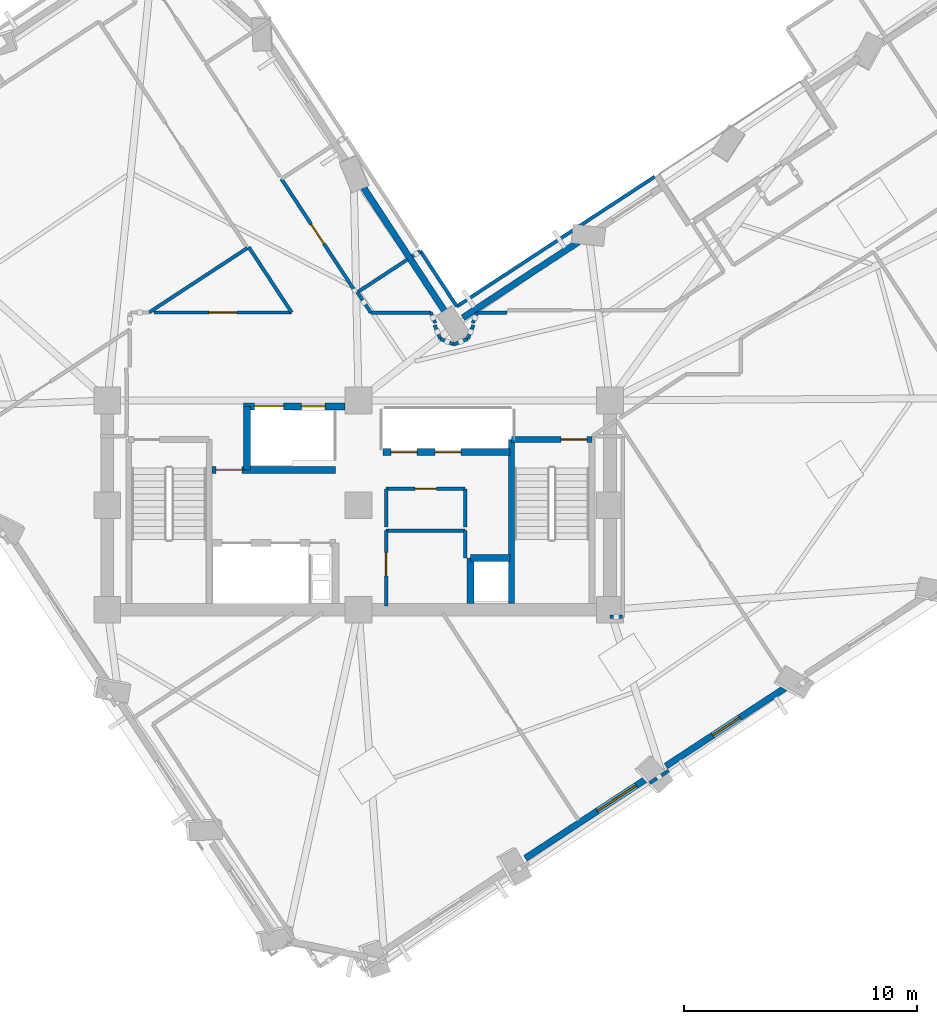
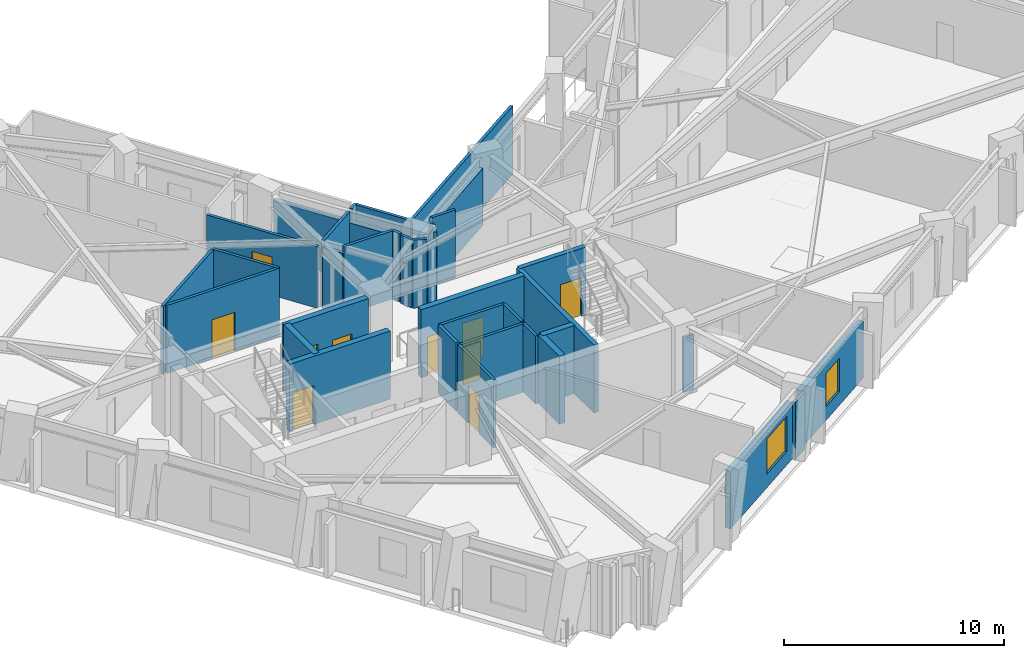
# One storey, part 6 of 14: 37 walls, 10 doors, 2 windows, 12 openings.
"""IFC4 building model written with IfcOpenShell, lengths in metres."""

import ifcopenshell
import ifcopenshell.guid

model = None  # the IFC model being written
_history = None  # IfcOwnerHistory: only IFC2X3 demands one
_inside = {}  # id of a spatial element -> (the spatial element, [elements in it])
_under = {}  # id of a project, library or spatial element -> (it, [spatial elements below it])
_declared = {}  # id of a project -> (the project, [libraries it declares])
_typed = {}  # id of a type object -> (the type object, [elements of that type])
_made_of = {}  # id of a material, layer set ... -> (it, [elements and type objects made of it])


def new_model(schema):
    """Start an empty IFC model of exactly this schema.

    Asked for "IFC4X3", IfcOpenShell would pick the latest addendum, in which some entities
    have other attributes; the version numbers below select the first issue.
    IFC2X3 requires an IfcOwnerHistory on every rooted entity: one is made here for all.
    """
    global model, _history
    if schema == "IFC4X3":
        model = ifcopenshell.file(schema_version=(4, 3, 0, 0))
    else:
        model = ifcopenshell.file(schema=schema)
    _inside.clear()
    _under.clear()
    _declared.clear()
    _typed.clear()
    _made_of.clear()
    _history = None
    if model.schema == "IFC2X3":
        org = make("IfcOrganization", Name="unknown")
        user = make(
            "IfcPersonAndOrganization",
            ThePerson=make("IfcPerson", FamilyName="unknown"),
            TheOrganization=org,
        )
        app = make(
            "IfcApplication",
            ApplicationDeveloper=org,
            Version="unknown",
            ApplicationFullName="unknown",
            ApplicationIdentifier="unknown",
        )
        _history = make(
            "IfcOwnerHistory",
            OwningUser=user,
            OwningApplication=app,
            ChangeAction="ADDED",
            CreationDate=0,
        )
    return model


def make(cls, **values):
    """One entity of the class cls with the attributes given. An attribute that is None is left unset."""
    return model.create_entity(
        cls, **{name: value for name, value in values.items() if value is not None}
    )


def rooted(cls, **values):
    """An entity with a GlobalId (a new one), such as an element, a storey or a relation."""
    return make(cls, GlobalId=ifcopenshell.guid.new(), OwnerHistory=_history, **values)


def si_unit(unit_type, name, prefix=None):
    """IfcSIUnit, for example si_unit("LENGTHUNIT", "METRE", prefix="MILLI")."""
    return make("IfcSIUnit", UnitType=unit_type, Prefix=prefix, Name=name)


def assignment(units):
    """IfcUnitAssignment: the units of a project."""
    return None if units is None else make("IfcUnitAssignment", Units=units)


def point(xyz):
    """IfcCartesianPoint."""
    return None if xyz is None else make("IfcCartesianPoint", Coordinates=xyz)


def direction(xyz):
    """IfcDirection."""
    return None if xyz is None else make("IfcDirection", DirectionRatios=xyz)


def frame(location, z_axis=None, x_axis=None):
    """IfcAxis2Placement3D, a coordinate frame: its origin and axes. An axis left out is left unset."""
    return make(
        "IfcAxis2Placement3D",
        Location=point(location),
        Axis=direction(z_axis),
        RefDirection=direction(x_axis),
    )


def frame_2d(location, x_axis=None):
    """IfcAxis2Placement2D, a coordinate frame in the plane: its origin and x axis."""
    return make(
        "IfcAxis2Placement2D", Location=point(location), RefDirection=direction(x_axis)
    )


def origin():
    """The frame at (0, 0, 0) with its axes left unset."""
    return frame((0.0, 0.0, 0.0))


def place(relative_to, where):
    """IfcLocalPlacement: puts the frame where relative to a parent placement (None: the world)."""
    return make(
        "IfcLocalPlacement", PlacementRelTo=relative_to, RelativePlacement=where
    )


def context(
    kind, dimensions, precision=None, world=None, true_north=None, identifier=None
):
    """IfcGeometricRepresentationContext, for example the 3D "Model" context."""
    return make(
        "IfcGeometricRepresentationContext",
        ContextIdentifier=identifier,
        ContextType=kind,
        CoordinateSpaceDimension=dimensions,
        Precision=precision,
        WorldCoordinateSystem=world,
        TrueNorth=true_north,
    )


def subcontext(parent, identifier, kind, view, scale=None):
    """IfcGeometricRepresentationSubContext, for example "Body" below "Model"."""
    return make(
        "IfcGeometricRepresentationSubContext",
        ContextIdentifier=identifier,
        ContextType=kind,
        ParentContext=parent,
        TargetScale=scale,
        TargetView=view,
    )


def project(units=None, contexts=None):
    """IfcProject with its units and contexts."""
    return rooted(
        "IfcProject",
        Name="project",
        RepresentationContexts=contexts,
        UnitsInContext=assignment(units),
    )


def spatial(cls, under=None, at=None, **own):
    """A site, building, storey or space (cls), placed at a placement, below another one or the project."""
    s = rooted(cls, ObjectPlacement=at, **own)
    if under is not None:
        _under.setdefault(under.id(), (under, []))[1].append(s)
    return s


def profile(cls, at=None, kind="AREA", **sizes):
    """A parametric profile (cls). Its sizes go by their IFC names, for example OverallWidth=200.0."""
    return make(cls, ProfileType=kind, Position=at, **sizes)


def rectangle(**sizes):
    """IfcRectangleProfileDef."""
    return profile("IfcRectangleProfileDef", **sizes)


def extrude(swept, where, along, depth):
    """IfcExtrudedAreaSolid: the profile swept, set in the frame where, extruded along a direction by depth."""
    return make(
        "IfcExtrudedAreaSolid",
        SweptArea=swept,
        Position=where,
        ExtrudedDirection=direction(along),
        Depth=depth,
    )


def shape(context_of_items, identifier, shape_type, items):
    """IfcShapeRepresentation: the items that make up one representation, for example the "Body"."""
    return make(
        "IfcShapeRepresentation",
        ContextOfItems=context_of_items,
        RepresentationIdentifier=identifier,
        RepresentationType=shape_type,
        Items=items,
    )


def material(Name=None, Category=None):
    """IfcMaterial."""
    return make("IfcMaterial", Name=Name, Category=Category)


def layer(
    of_material, thickness, ventilated=None, Name=None, Category=None, Priority=None
):
    """IfcMaterialLayer: one layer of a wall or slab, of a material (None: an air gap)."""
    return make(
        "IfcMaterialLayer",
        Material=of_material,
        LayerThickness=thickness,
        IsVentilated=ventilated,
        Name=Name,
        Category=Category,
        Priority=Priority,
    )


def layer_set(layers, Name=None):
    """IfcMaterialLayerSet."""
    return make("IfcMaterialLayerSet", MaterialLayers=layers, LayerSetName=Name)


def made_of(thing, what):
    """Note that an element or type object is made of a material, layer set ...; save() writes the relation."""
    if what is not None:
        _made_of.setdefault(what.id(), (what, []))[1].append(thing)
    return thing


def type_object(cls, material=None, **own):
    """A type object (cls), such as IfcWallType, which elements share."""
    return made_of(rooted(cls, **own), material)


def element(
    cls,
    number,
    at=None,
    inside=None,
    cuts=None,
    type_object=None,
    material=None,
    context=None,
    identifier="Body",
    shape_type=None,
    held_by="IfcProductDefinitionShape",
    body=None,
    shapes=None,
    **own,
):
    """One element of the class cls, such as IfcWall. Its Tag is "e" and its number.

    at: its placement. inside: the storey or other place that contains it. cuts: it is an
    opening in that element (IfcRelVoidsElement). A single representation is given by context,
    identifier, shape_type and body (its items); several are given by shapes. held_by: the class
    of the entity that holds the representations. save() writes the other relations.
    """
    e = rooted(cls, Tag="e%d" % number, ObjectPlacement=at, **own)
    if body is not None:
        shapes = [shape(context, identifier, shape_type, body)]
    if shapes is not None:
        e.Representation = make(held_by, Representations=shapes)
    if inside is not None:
        _inside.setdefault(inside.id(), (inside, []))[1].append(e)
    if cuts is not None:
        rooted(
            "IfcRelVoidsElement", RelatingBuildingElement=cuts, RelatedOpeningElement=e
        )
    if type_object is not None:
        _typed.setdefault(type_object.id(), (type_object, []))[1].append(e)
    return made_of(e, material)


def fill(opening, filler):
    """IfcRelFillsElement: the door or window that sits in an opening."""
    return rooted(
        "IfcRelFillsElement",
        RelatingOpeningElement=opening,
        RelatedBuildingElement=filler,
    )


def aggregate(whole, parts):
    """IfcRelAggregates: a whole, such as a stair, and the parts it consists of."""
    return rooted("IfcRelAggregates", RelatingObject=whole, RelatedObjects=parts)


def save(model, path):
    """Write the relations noted so far, then the file.

    IfcRelAggregates (storeys below a building ...), IfcRelContainedInSpatialStructure (elements
    in a storey), IfcRelDefinesByType, IfcRelAssociatesMaterial and IfcRelDeclares: one each for
    every whole, place, type object, material and project.
    """
    for whole, parts in _under.values():
        aggregate(whole, parts)
    for where, things in _inside.values():
        rooted(
            "IfcRelContainedInSpatialStructure",
            RelatedElements=things,
            RelatingStructure=where,
        )
    for kind, things in _typed.values():
        rooted("IfcRelDefinesByType", RelatedObjects=things, RelatingType=kind)
    for what, things in _made_of.values():
        rooted("IfcRelAssociatesMaterial", RelatedObjects=things, RelatingMaterial=what)
    for by, libraries in _declared.values():
        rooted("IfcRelDeclares", RelatingContext=by, RelatedDefinitions=libraries)
    model.write(path)


model = new_model("IFC4")

# Units and contexts
model_context = context("Model", 3, precision=1e-05, world=origin(), true_north=direction((0.0, 1.0)))
body_context = subcontext(model_context, "Body", "Model", "MODEL_VIEW")
ifc_project = project(units=[si_unit("LENGTHUNIT", "METRE"), si_unit("AREAUNIT", "SQUARE_METRE"), si_unit("VOLUMEUNIT", "CUBIC_METRE"), si_unit("PLANEANGLEUNIT", "RADIAN"), si_unit("MASSUNIT", "GRAM", prefix="KILO")], contexts=[model_context])

# Site, building, storey
site_placement = place(None, origin())
site = spatial("IfcSite", under=ifc_project, at=site_placement, CompositionType="ELEMENT")
building_placement = place(site_placement, origin())
building = spatial("IfcBuilding", under=site, at=building_placement, Name="Gaonmaruhae Medical Tower", CompositionType="ELEMENT")
storey_placement = place(building_placement, frame((0.0, 0.0, 165.800048828125)))
storey = spatial("IfcBuildingStorey", under=building, at=storey_placement, Name="L39", CompositionType="ELEMENT", Elevation=165.800048828125)

# Wall, opening, window
ifc_material_1 = material(Name="Precast concrete C45/55", Category="concrete")
ifc_layer_1 = layer(ifc_material_1, 0.280029296875)
ifc_layer_set_1 = layer_set([ifc_layer_1], Name="Precast concrete C45/55")
wall_type_1 = type_object("IfcWallType", Name="EW-280 Upper Precast Masonry-Frame Facade Wall", PredefinedType="SOLIDWALL", material=ifc_layer_set_1)
wall_1_placement = place(storey_placement, frame((37.18212890625, 0.542724609375, 0.0), z_axis=(0.0, 0.0, 1.0), x_axis=(-0.836285285132, -0.54829455758, 0.0)))
wall_1 = element("IfcWall", 1, at=wall_1_placement, inside=storey, type_object=wall_type_1, Name="L39 Precast Masonry-Frame Wall S02-S03", PredefinedType="SOLIDWALL", context=body_context, shape_type="SweptSolid", body=[
    extrude(rectangle(XDim=6.234375, YDim=0.280029296875, at=frame_2d((3.1171875, 0.0))), origin(), (0.0, 0.0, 1.0), 3.1650390625),
])
opening_1_placement = place(wall_1_placement, frame((0.531982421875, 0.0, 0.75)))
opening_1 = element("IfcOpeningElement", 2, at=opening_1_placement, cuts=wall_1, Name="Opening WN-02", PredefinedType="OPENING", context=body_context, shape_type="SweptSolid", body=[
    extrude(rectangle(XDim=2.0, YDim=1.949951171875, at=frame_2d((1.0, 0.97509765625))), frame((0.0, 0.14990234375, 0.0), z_axis=(0.0, -1.0, 0.0), x_axis=(1.0, 0.0, 0.0)), (0.0, 0.0, 1.0), 0.300048828125),
])
ifc_material_2 = material(Name="Anodised aluminium and Low-E double glazing", Category="aluminium")
window_type_1 = type_object("IfcWindowType", Name="WN-02 Double-Bed Ward Punched Window 2000x1950", PartitioningType="SINGLE_PANEL", PredefinedType="WINDOW", material=ifc_material_2)
window_1_placement = place(opening_1_placement, origin())
window_1 = element("IfcWindow", 3, at=window_1_placement, inside=storey, type_object=window_type_1, Name="L39 Modular Facade Window S02", OverallHeight=1.949951171875, OverallWidth=2.0, PartitioningType="SINGLE_PANEL", PredefinedType="WINDOW", context=body_context, shape_type="SweptSolid", body=[
    extrude(rectangle(XDim=2.0, YDim=1.949951171875, at=frame_2d((1.0, 0.97509765625))), frame((0.0, 0.030029296875, 0.0), z_axis=(0.0, -1.0, 0.0), x_axis=(1.0, 0.0, 0.0)), (0.0, 0.0, 1.0), 0.06005859375),
])
fill(opening_1, window_1)

wall_2_placement = place(storey_placement, frame((43.19775390625, 4.48681640625, 0.0), z_axis=(0.0, 0.0, 1.0), x_axis=(-0.836280987902, -0.548301111865, 0.0)))
wall_2 = element("IfcWall", 4, at=wall_2_placement, inside=storey, type_object=wall_type_1, Name="L39 Precast Masonry-Frame Wall S03-S04", PredefinedType="SOLIDWALL", context=body_context, shape_type="SweptSolid", body=[
    extrude(rectangle(XDim=6.214111328125, YDim=0.280029296875, at=frame_2d((3.10693359375, 0.0))), origin(), (0.0, 0.0, 1.0), 3.1650390625),
])
opening_2_placement = place(wall_2_placement, frame((2.405517578125, 0.0, 0.75)))
opening_2 = element("IfcOpeningElement", 5, at=opening_2_placement, cuts=wall_2, Name="Opening WN-03", PredefinedType="OPENING", context=body_context, shape_type="SweptSolid", body=[
    extrude(rectangle(XDim=1.39990234375, YDim=1.85009765625, at=frame_2d((0.699951171875, 0.925048828125))), frame((0.0, 0.14990234375, 0.0), z_axis=(0.0, -1.0, 0.0), x_axis=(1.0, 0.0, 0.0)), (0.0, 0.0, 1.0), 0.300048828125),
])
window_type_2 = type_object("IfcWindowType", Name="WN-03 Isolation Ward Punched Window 1400x1850", PartitioningType="SINGLE_PANEL", PredefinedType="WINDOW", material=ifc_material_2)
window_2_placement = place(opening_2_placement, origin())
window_2 = element("IfcWindow", 6, at=window_2_placement, inside=storey, type_object=window_type_2, Name="L39 Modular Facade Window S03", OverallHeight=1.85009765625, OverallWidth=1.39990234375, PartitioningType="SINGLE_PANEL", PredefinedType="WINDOW", context=body_context, shape_type="SweptSolid", body=[
    extrude(rectangle(XDim=1.39990234375, YDim=1.85009765625, at=frame_2d((0.699951171875, 0.925048828125))), frame((0.0, 0.030029296875, 0.0), z_axis=(0.0, -1.0, 0.0), x_axis=(1.0, 0.0, 0.0)), (0.0, 0.0, 1.0), 0.06005859375),
])
fill(opening_2, window_2)

# Walls
wall_3_placement = place(storey_placement, frame((29.284912109375, 20.3564453125, 0.0), z_axis=(0.0, 0.0, 1.0), x_axis=(0.836260995497, 0.548331603513, 0.0)))
element("IfcWall", 7, at=wall_3_placement, inside=storey, type_object=wall_type_1, Name="L39 Precast Masonry-Frame Wall EN03-KN01", PredefinedType="SOLIDWALL", context=body_context, shape_type="SweptSolid", body=[
    extrude(rectangle(XDim=5.9599609375, YDim=0.280029296875, at=frame_2d((2.97998046875, 0.0))), origin(), (0.0, 0.0, 1.0), 3.1650390625),
])
wall_4_placement = place(storey_placement, frame((28.6201171875, 20.44921875, 0.0), z_axis=(0.0, 0.0, 1.0), x_axis=(-0.548274567117, 0.836298391158, 0.0)))
element("IfcWall", 8, at=wall_4_placement, inside=storey, type_object=wall_type_1, Name="L39 Precast Masonry-Frame Wall KN01-NE01", PredefinedType="SOLIDWALL", context=body_context, shape_type="SweptSolid", body=[
    extrude(rectangle(XDim=6.760009765625, YDim=0.280029296875, at=frame_2d((3.3798828125, 0.0))), origin(), (0.0, 0.0, 1.0), 3.1650390625),
])

# Wall, opening, door
ifc_material_3 = material(Name="Gypsum board partition", Category="gypsum")
ifc_layer_2 = layer(ifc_material_3, 0.14990234375)
ifc_layer_set_2 = layer_set([ifc_layer_2], Name="Gypsum board partition")
wall_type_2 = type_object("IfcWallType", Name="PW-150 Rated Clinical Corridor Partition", PredefinedType="PARTITIONING", material=ifc_layer_set_2)
wall_5_placement = place(storey_placement, frame((25.97998046875, 7.9599609375, 0.0), z_axis=(0.0, 0.0, 1.0), x_axis=(0.0, 1.0, 0.0)))
wall_5 = element("IfcWall", 9, at=wall_5_placement, inside=storey, type_object=wall_type_2, Name="L39 Interior Partition L39-RCL1-1", PredefinedType="PARTITIONING", context=body_context, shape_type="SweptSolid", body=[
    extrude(rectangle(XDim=3.239990234375, YDim=0.14990234375, at=frame_2d((1.6201171875, 0.0))), origin(), (0.0, 0.0, 1.0), 3.780029296875),
])
opening_3_placement = place(wall_5_placement, frame((1.294921875, 0.0, 0.0)))
opening_3 = element("IfcOpeningElement", 10, at=opening_3_placement, cuts=wall_5, Name="Opening CD-01", PredefinedType="OPENING", context=body_context, shape_type="SweptSolid", body=[
    extrude(rectangle(XDim=1.0, YDim=2.1201171875, at=frame_2d((0.5, 1.06005859375))), frame((0.0, 0.0849609375, 0.0), z_axis=(0.0, -1.0, 0.0), x_axis=(1.0, 0.0, 0.0)), (0.0, 0.0, 1.0), 0.169921875),
])
ifc_material_4 = material(Name="Antimicrobial laminate timber fire door", Category="wood")
door_type_1 = type_object("IfcDoorType", Name="CD-01 Consultation & Physician Office Door 1000x2120", OperationType="NOTDEFINED", PredefinedType="DOOR", material=ifc_material_4)
door_1_placement = place(opening_3_placement, origin())
door_1 = element("IfcDoor", 11, at=door_1_placement, inside=storey, type_object=door_type_1, Name="L39 Clinical Telemetry and Medication Room Door", OperationType="SINGLE_SWING_RIGHT", OverallHeight=2.1201171875, OverallWidth=1.0, PredefinedType="DOOR", context=body_context, shape_type="SweptSolid", body=[
    extrude(rectangle(XDim=1.0, YDim=2.1201171875, at=frame_2d((0.5, 1.06005859375))), frame((0.0, 0.02490234375, 0.0), z_axis=(0.0, -1.0, 0.0), x_axis=(1.0, 0.0, 0.0)), (0.0, 0.0, 1.0), 0.050048828125),
])
fill(opening_3, door_1)

# Walls
wall_6_placement = place(storey_placement, frame((25.97998046875, 11.199951171875, 0.0), z_axis=(0.0, 0.0, 1.0), x_axis=(1.0, 0.0, 0.0)))
element("IfcWall", 12, at=wall_6_placement, inside=storey, type_object=wall_type_2, Name="L39 Interior Partition L39-RCL1-2", PredefinedType="PARTITIONING", context=body_context, shape_type="SweptSolid", body=[
    extrude(rectangle(XDim=3.39990234375, YDim=0.14990234375, at=frame_2d((1.699951171875, 0.0))), origin(), (0.0, 0.0, 1.0), 3.780029296875),
])
wall_7_placement = place(storey_placement, frame((29.3798828125, 11.199951171875, 0.0), z_axis=(0.0, 0.0, 1.0), x_axis=(0.0, -1.0, 0.0)))
element("IfcWall", 13, at=wall_7_placement, inside=storey, type_object=wall_type_2, Name="L39 Interior Partition L39-RCL1-3", PredefinedType="PARTITIONING", context=body_context, shape_type="SweptSolid", body=[
    extrude(rectangle(XDim=1.179931640625, YDim=0.14990234375, at=frame_2d((0.58984375, 0.0))), origin(), (0.0, 0.0, 1.0), 3.780029296875),
])
wall_8_placement = place(storey_placement, frame((25.97998046875, 11.360107421875, 0.0), z_axis=(0.0, 0.0, 1.0), x_axis=(0.0, 1.0, 0.0)))
element("IfcWall", 14, at=wall_8_placement, inside=storey, type_object=wall_type_2, Name="L39 Interior Partition L39-CS1-4", PredefinedType="PARTITIONING", context=body_context, shape_type="SweptSolid", body=[
    extrude(rectangle(XDim=1.639892578125, YDim=0.14990234375, at=frame_2d((0.81982421875, 0.0))), origin(), (0.0, 0.0, 1.0), 3.780029296875),
])

# Wall, opening, door
wall_9_placement = place(storey_placement, frame((25.97998046875, 13.0, 0.0), z_axis=(0.0, 0.0, 1.0), x_axis=(1.0, 0.0, 0.0)))
wall_9 = element("IfcWall", 15, at=wall_9_placement, inside=storey, type_object=wall_type_2, Name="L39 Interior Partition L39-CS1-5", PredefinedType="PARTITIONING", context=body_context, shape_type="SweptSolid", body=[
    extrude(rectangle(XDim=3.39990234375, YDim=0.14990234375, at=frame_2d((1.699951171875, 0.0))), origin(), (0.0, 0.0, 1.0), 3.780029296875),
])
opening_4_placement = place(wall_9_placement, frame((1.239990234375, 0.0, 0.0)))
opening_4 = element("IfcOpeningElement", 16, at=opening_4_placement, cuts=wall_9, Name="Opening UD-01", PredefinedType="OPENING", context=body_context, shape_type="SweptSolid", body=[
    extrude(rectangle(XDim=0.919921875, YDim=2.10009765625, at=frame_2d((0.4599609375, 1.050048828125))), frame((0.0, 0.0849609375, 0.0), z_axis=(0.0, -1.0, 0.0), x_axis=(1.0, 0.0, 0.0)), (0.0, 0.0, 1.0), 0.169921875),
])
ifc_material_5 = material(Name="Powder-coated steel utility door", Category="steel")
door_type_2 = type_object("IfcDoorType", Name="UD-01 Toilet, Utility & Housekeeping Door 920x2100", OperationType="NOTDEFINED", PredefinedType="DOOR", material=ifc_material_5)
door_2_placement = place(opening_4_placement, origin())
door_2 = element("IfcDoor", 17, at=door_2_placement, inside=storey, type_object=door_type_2, Name="L39 Accessible Staff Toilet Door", OperationType="SINGLE_SWING_RIGHT", OverallHeight=2.10009765625, OverallWidth=0.919921875, PredefinedType="DOOR", context=body_context, shape_type="SweptSolid", body=[
    extrude(rectangle(XDim=0.919921875, YDim=2.10009765625, at=frame_2d((0.4599609375, 1.050048828125))), frame((0.0, 0.02490234375, 0.0), z_axis=(0.0, -1.0, 0.0), x_axis=(1.0, 0.0, 0.0)), (0.0, 0.0, 1.0), 0.050048828125),
])
fill(opening_4, door_2)

# Walls
wall_10_placement = place(storey_placement, frame((29.3798828125, 13.0, 0.0), z_axis=(0.0, 0.0, 1.0), x_axis=(0.0, -1.0, 0.0)))
element("IfcWall", 18, at=wall_10_placement, inside=storey, type_object=wall_type_2, Name="L39 Interior Partition L39-CS1-6", PredefinedType="PARTITIONING", context=body_context, shape_type="SweptSolid", body=[
    extrude(rectangle(XDim=1.639892578125, YDim=0.14990234375, at=frame_2d((0.81982421875, 0.0))), origin(), (0.0, 0.0, 1.0), 3.780029296875),
])
wall_11_placement = place(storey_placement, frame((38.126953125, 0.886962890625, 0.0), z_axis=(0.0, 0.0, 1.0), x_axis=(-0.836283727182, -0.548296933832, 0.0)))
element("IfcWall", 19, at=wall_11_placement, inside=storey, type_object=wall_type_2, Name="L39 Interior Partition L39-SUP02-18", PredefinedType="PARTITIONING", context=body_context, shape_type="SweptSolid", body=[
    extrude(rectangle(XDim=0.979248046875, YDim=0.14990234375, at=frame_2d((0.48974609375, 0.0))), origin(), (0.0, 0.0, 1.0), 3.1650390625),
])
wall_12_placement = place(storey_placement, frame((35.60009765625, 7.5, 0.0), z_axis=(0.0, 0.0, 1.0), x_axis=(1.0, 0.0, 0.0)))
element("IfcWall", 20, at=wall_12_placement, inside=storey, type_object=wall_type_2, Name="L39 Interior Partition L39-SUP02-19", PredefinedType="PARTITIONING", context=body_context, shape_type="SweptSolid", body=[
    extrude(rectangle(XDim=0.5498046875, YDim=0.14990234375, at=frame_2d((0.27490234375, 0.0))), origin(), (0.0, 0.0, 1.0), 3.06494140625),
])
wall_13_placement = place(storey_placement, frame((20.02099609375, 23.35205078125, 0.0), z_axis=(0.0, 0.0, 1.0), x_axis=(-0.836348158254, -0.548198648471, 0.0)))
element("IfcWall", 21, at=wall_13_placement, inside=storey, type_object=wall_type_2, Name="L39 Interior Partition L39-WOF06-51", PredefinedType="PARTITIONING", context=body_context, shape_type="SweptSolid", body=[
    extrude(rectangle(XDim=5.056396484375, YDim=0.14990234375, at=frame_2d((2.5283203125, 0.0))), origin(), (0.0, 0.0, 1.0), 3.780029296875),
])
wall_14_placement = place(storey_placement, frame((31.169921875, 20.580078125, 0.0), z_axis=(0.0, 0.0, 1.0), x_axis=(-0.999991876787, -0.00403067743, 0.0)))
element("IfcWall", 22, at=wall_14_placement, inside=storey, type_object=wall_type_2, Name="L39 Interior Partition L39-IE01-53", PredefinedType="PARTITIONING", context=body_context, shape_type="SweptSolid", body=[
    extrude(rectangle(XDim=1.27197265625, YDim=0.14990234375, at=frame_2d((0.635986328125, 0.0))), origin(), (0.0, 0.0, 1.0), 3.780029296875),
])
wall_15_placement = place(storey_placement, frame((29.89794921875, 20.574951171875, 0.0), z_axis=(0.0, 0.0, 1.0), x_axis=(-0.392767255378, -0.919637908692, 0.0)))
element("IfcWall", 23, at=wall_15_placement, inside=storey, type_object=wall_type_2, Name="L39 Interior Partition L39-IE01-54", PredefinedType="PARTITIONING", context=body_context, shape_type="SweptSolid", body=[
    extrude(rectangle(XDim=0.486083984375, YDim=0.14990234375, at=frame_2d((0.2431640625, 0.0))), origin(), (0.0, 0.0, 1.0), 3.780029296875),
])
wall_16_placement = place(storey_placement, frame((29.736083984375, 20.041015625, 0.0), z_axis=(0.0, 0.0, 1.0), x_axis=(-0.382306769343, -0.924035461503, 0.0)))
element("IfcWall", 24, at=wall_16_placement, inside=storey, type_object=wall_type_2, Name="L39 Interior Partition L39-IE01-55", PredefinedType="PARTITIONING", context=body_context, shape_type="SweptSolid", body=[
    extrude(rectangle(XDim=0.638671875, YDim=0.14990234375, at=frame_2d((0.3193359375, 0.0))), origin(), (0.0, 0.0, 1.0), 3.780029296875),
])
wall_17_placement = place(storey_placement, frame((29.491943359375, 19.450927734375, 0.0), z_axis=(0.0, 0.0, 1.0), x_axis=(-0.924114659462, -0.382115291723, 0.0)))
element("IfcWall", 25, at=wall_17_placement, inside=storey, type_object=wall_type_2, Name="L39 Interior Partition L39-IE01-56", PredefinedType="PARTITIONING", context=body_context, shape_type="SweptSolid", body=[
    extrude(rectangle(XDim=0.63818359375, YDim=0.14990234375, at=frame_2d((0.319091796875, 0.0))), origin(), (0.0, 0.0, 1.0), 3.4150390625),
])
for number, where, z_axis, x_axis, name in (
    (26, (28.902099609375, 19.20703125, 0.0), (0.0, 0.0, 1.0), (-0.924170479167, 0.381980268386, 0.0), "L39 Interior Partition L39-IE01-57"),
    (27, (28.31201171875, 19.450927734375, 0.0), (0.0, 0.0, 1.0), (-0.381980268386, 0.924170479167, 0.0), "L39 Interior Partition L39-IE01-58"),
):
    element("IfcWall", number, at=place(storey_placement, frame(where, z_axis=z_axis, x_axis=x_axis)), inside=storey, type_object=wall_type_2, Name=name, PredefinedType="PARTITIONING", context=body_context, shape_type="SweptSolid", body=[
        extrude(rectangle(XDim=0.638427734375, YDim=0.14990234375, at=frame_2d((0.3193359375, 0.0))), origin(), (0.0, 0.0, 1.0), 3.780029296875),
    ])
wall_18_placement = place(storey_placement, frame((28.095947265625, 20.131103515625, 0.0), z_axis=(0.0, 0.0, 1.0), x_axis=(-0.396107773703, 0.918204025047, 0.0)))
element("IfcWall", 28, at=wall_18_placement, inside=storey, type_object=wall_type_2, Name="L39 Interior Partition L39-IE01-59", PredefinedType="PARTITIONING", context=body_context, shape_type="SweptSolid", body=[
    extrude(rectangle(XDim=0.484375, YDim=0.14990234375, at=frame_2d((0.2421875, 0.0))), origin(), (0.0, 0.0, 1.0), 3.780029296875),
])
wall_19_placement = place(storey_placement, frame((27.904052734375, 20.575927734375, 0.0), z_axis=(0.0, 0.0, 1.0), x_axis=(-0.999998712014, 0.001604982827, 0.0)))
element("IfcWall", 29, at=wall_19_placement, inside=storey, type_object=wall_type_2, Name="L39 Interior Partition L39-IE01-60", PredefinedType="PARTITIONING", context=body_context, shape_type="SweptSolid", body=[
    extrude(rectangle(XDim=2.5859375, YDim=0.14990234375, at=frame_2d((1.29296875, 0.0))), origin(), (0.0, 0.0, 1.0), 3.780029296875),
])
wall_20_placement = place(storey_placement, frame((25.318115234375, 20.580078125, 0.0), z_axis=(0.0, 0.0, 1.0), x_axis=(-0.548332691365, 0.836260282197, 0.0)))
element("IfcWall", 30, at=wall_20_placement, inside=storey, type_object=wall_type_2, Name="L39 Interior Partition L39-IE01-61", PredefinedType="PARTITIONING", context=body_context, shape_type="SweptSolid", body=[
    extrude(rectangle(XDim=1.037841796875, YDim=0.14990234375, at=frame_2d((0.51904296875, 0.0))), origin(), (0.0, 0.0, 1.0), 3.4150390625),
])
wall_21_placement = place(storey_placement, frame((24.7490234375, 21.447998046875, 0.0), z_axis=(0.0, 0.0, 1.0), x_axis=(0.836198746425, 0.548426527874, 0.0)))
element("IfcWall", 31, at=wall_21_placement, inside=storey, type_object=wall_type_2, Name="L39 Interior Partition L39-IE01-62", PredefinedType="PARTITIONING", context=body_context, shape_type="SweptSolid", body=[
    extrude(rectangle(XDim=2.574951171875, YDim=0.14990234375, at=frame_2d((1.28759765625, 0.0))), origin(), (0.0, 0.0, 1.0), 3.780029296875),
])
wall_22_placement = place(storey_placement, frame((27.093994140625, 22.986083984375, 0.0), z_axis=(0.0, 0.0, 1.0), x_axis=(0.835911265281, 0.548864606781, 0.0)))
element("IfcWall", 32, at=wall_22_placement, inside=storey, type_object=wall_type_2, Name="L39 Interior Partition L39-IE01-63", PredefinedType="PARTITIONING", context=body_context, shape_type="SweptSolid", body=[
    extrude(rectangle(XDim=0.435546875, YDim=0.14990234375, at=frame_2d((0.2177734375, 0.0))), origin(), (0.0, 0.0, 1.0), 3.780029296875),
])
wall_23_placement = place(storey_placement, frame((27.4580078125, 23.22509765625, 0.0), z_axis=(0.0, 0.0, 1.0), x_axis=(0.548280379418, -0.836294580603, 0.0)))
element("IfcWall", 33, at=wall_23_placement, inside=storey, type_object=wall_type_2, Name="L39 Interior Partition L39-IE01-64", PredefinedType="PARTITIONING", context=body_context, shape_type="SweptSolid", body=[
    extrude(rectangle(XDim=2.850830078125, YDim=0.14990234375, at=frame_2d((1.42529296875, 0.0))), origin(), (0.0, 0.0, 1.0), 3.780029296875),
])
wall_24_placement = place(storey_placement, frame((29.02099609375, 20.841064453125, 0.0), z_axis=(0.0, 0.0, 1.0), x_axis=(0.836283520449, 0.54829724915, 0.0)))
element("IfcWall", 34, at=wall_24_placement, inside=storey, type_object=wall_type_2, Name="L39 Interior Partition L39-IE01-65", PredefinedType="PARTITIONING", context=body_context, shape_type="SweptSolid", body=[
    extrude(rectangle(XDim=10.17138671875, YDim=0.14990234375, at=frame_2d((5.085693359375, 0.0))), origin(), (0.0, 0.0, 1.0), 3.780029296875),
])

# Wall, opening, door
wall_25_placement = place(storey_placement, frame((24.5830078125, 21.591064453125, 0.0), z_axis=(0.0, 0.0, 1.0), x_axis=(-0.548247074475, 0.8363164146, 0.0)))
wall_25 = element("IfcWall", 35, at=wall_25_placement, inside=storey, type_object=wall_type_2, Name="L39 Interior Partition L39-IN01-87", PredefinedType="PARTITIONING", context=body_context, shape_type="SweptSolid", body=[
    extrude(rectangle(XDim=5.654541015625, YDim=0.14990234375, at=frame_2d((2.8271484375, 0.0))), origin(), (0.0, 0.0, 1.0), 3.4150390625),
])
opening_5_placement = place(wall_25_placement, frame((2.327392578125, 0.0, 0.0)))
opening_5 = element("IfcOpeningElement", 36, at=opening_5_placement, cuts=wall_25, Name="Opening CD-01", PredefinedType="OPENING", context=body_context, shape_type="SweptSolid", body=[
    extrude(rectangle(XDim=1.0, YDim=2.1201171875, at=frame_2d((0.5, 1.06005859375))), frame((0.0, 0.0849609375, 0.0), z_axis=(0.0, -1.0, 0.0), x_axis=(1.0, 0.0, 0.0)), (0.0, 0.0, 1.0), 0.169921875),
])
door_3_placement = place(opening_5_placement, origin())
door_3 = element("IfcDoor", 37, at=door_3_placement, inside=storey, type_object=door_type_1, Name="L39 Physician Consultation Office Door", OperationType="SINGLE_SWING_RIGHT", OverallHeight=2.1201171875, OverallWidth=1.0, PredefinedType="DOOR", context=body_context, shape_type="SweptSolid", body=[
    extrude(rectangle(XDim=1.0, YDim=2.1201171875, at=frame_2d((0.5, 1.06005859375))), frame((0.0, 0.02490234375, 0.0), z_axis=(0.0, -1.0, 0.0), x_axis=(1.0, 0.0, 0.0)), (0.0, 0.0, 1.0), 0.050048828125),
])
fill(opening_5, door_3)

# Wall
wall_26_placement = place(storey_placement, frame((20.0791015625, 23.389892578125, 0.0), z_axis=(0.0, 0.0, 1.0), x_axis=(0.54846440247, -0.836173904892, 0.0)))
element("IfcWall", 38, at=wall_26_placement, inside=storey, type_object=wall_type_2, Name="L39 Interior Partition L39-RM02-99", PredefinedType="PARTITIONING", context=body_context, shape_type="SweptSolid", body=[
    extrude(rectangle(XDim=3.3603515625, YDim=0.14990234375, at=frame_2d((1.68017578125, 0.0))), origin(), (0.0, 0.0, 1.0), 3.780029296875),
])

# Wall, opening, door
wall_27_placement = place(storey_placement, frame((21.922119140625, 20.580078125, 0.0), z_axis=(0.0, 0.0, 1.0), x_axis=(-1.0, 0.0, 0.0)))
wall_27 = element("IfcWall", 39, at=wall_27_placement, inside=storey, type_object=wall_type_2, Name="L39 Interior Partition L39-RM02-100", PredefinedType="PARTITIONING", context=body_context, shape_type="SweptSolid", body=[
    extrude(rectangle(XDim=5.9072265625, YDim=0.14990234375, at=frame_2d((2.95361328125, 0.0))), origin(), (0.0, 0.0, 1.0), 3.780029296875),
])
opening_6_placement = place(wall_27_placement, frame((2.353515625, 0.0, 0.0)))
opening_6 = element("IfcOpeningElement", 40, at=opening_6_placement, cuts=wall_27, Name="Opening CD-02", PredefinedType="OPENING", context=body_context, shape_type="SweptSolid", body=[
    extrude(rectangle(XDim=1.199951171875, YDim=2.14990234375, at=frame_2d((0.60009765625, 1.074951171875))), frame((0.0, 0.0849609375, 0.0), z_axis=(0.0, -1.0, 0.0), x_axis=(1.0, 0.0, 0.0)), (0.0, 0.0, 1.0), 0.169921875),
])
door_type_3 = type_object("IfcDoorType", Name="CD-02 Clinical Treatment & Procedure Door 1200x2150", OperationType="NOTDEFINED", PredefinedType="DOOR", material=ifc_material_4)
door_4_placement = place(opening_6_placement, origin())
door_4 = element("IfcDoor", 41, at=door_4_placement, inside=storey, type_object=door_type_3, Name="L39 Care Team Clinical Charting Office Door", OperationType="SINGLE_SWING_LEFT", OverallHeight=2.14990234375, OverallWidth=1.199951171875, PredefinedType="DOOR", context=body_context, shape_type="SweptSolid", body=[
    extrude(rectangle(XDim=1.199951171875, YDim=2.14990234375, at=frame_2d((0.60009765625, 1.074951171875))), frame((0.0, 0.02490234375, 0.0), z_axis=(0.0, -1.0, 0.0), x_axis=(1.0, 0.0, 0.0)), (0.0, 0.0, 1.0), 0.050048828125),
])
fill(opening_6, door_4)

ifc_material_6 = material(Name="Concrete C50/60", Category="concrete")
ifc_layer_3 = layer(ifc_material_6, 0.239990234375)
ifc_layer_set_3 = layer_set([ifc_layer_3], Name="Concrete C50/60")
wall_type_3 = type_object("IfcWallType", Name="SW-240 Dogleg Stair Tight Shaft Wall", PredefinedType="SOLIDWALL", material=ifc_layer_set_3)
wall_28_placement = place(storey_placement, frame((31.3701171875, 15.1201171875, 0.0), z_axis=(0.0, 0.0, 1.0), x_axis=(1.0, 0.0, 0.0)))
wall_28 = element("IfcWall", 42, at=wall_28_placement, inside=storey, type_object=wall_type_3, Name="L39 ST-02 Stair Shaft Wall SHW-ST-02-N", PredefinedType="SOLIDWALL", context=body_context, shape_type="SweptSolid", body=[
    extrude(rectangle(XDim=3.4599609375, YDim=0.239990234375, at=frame_2d((1.72998046875, 0.0))), origin(), (0.0, 0.0, 1.0), 3.780029296875),
])
opening_7_placement = place(wall_28_placement, frame((2.139892578125, 0.0, 0.0)))
opening_7 = element("IfcOpeningElement", 43, at=opening_7_placement, cuts=wall_28, Name="Opening FD-01", PredefinedType="OPENING", context=body_context, shape_type="SweptSolid", body=[
    extrude(rectangle(XDim=1.10009765625, YDim=2.14990234375, at=frame_2d((0.550048828125, 1.074951171875))), frame((0.0, 0.1298828125, 0.0), z_axis=(0.0, -1.0, 0.0), x_axis=(1.0, 0.0, 0.0)), (0.0, 0.0, 1.0), 0.260009765625),
])
ifc_material_7 = material(Name="Powder-coated steel fire door", Category="steel")
door_type_4 = type_object("IfcDoorType", Name="FD-01 Escape Stair Protected Fire Door 1100x2150", OperationType="NOTDEFINED", PredefinedType="DOOR", material=ifc_material_7)
door_5_placement = place(opening_7_placement, origin())
door_5 = element("IfcDoor", 44, at=door_5_placement, inside=storey, type_object=door_type_4, Name="L39 ST-02 Protected Escape Stair Door", OperationType="SINGLE_SWING_RIGHT", OverallHeight=2.14990234375, OverallWidth=1.10009765625, PredefinedType="DOOR", context=body_context, shape_type="SweptSolid", body=[
    extrude(rectangle(XDim=1.10009765625, YDim=2.14990234375, at=frame_2d((0.550048828125, 1.074951171875))), frame((0.0, 0.02490234375, 0.0), z_axis=(0.0, -1.0, 0.0), x_axis=(1.0, 0.0, 0.0)), (0.0, 0.0, 1.0), 0.050048828125),
])
fill(opening_7, door_5)

# Wall
wall_29_placement = place(storey_placement, frame((31.3701171875, 8.074951171875, 0.0), z_axis=(0.0, 0.0, 1.0), x_axis=(0.0, 1.0, 0.0)))
element("IfcWall", 45, at=wall_29_placement, inside=storey, type_object=wall_type_3, Name="L39 ST-02 Stair Shaft Wall SHW-ST-02-W", PredefinedType="SOLIDWALL", context=body_context, shape_type="SweptSolid", body=[
    extrude(rectangle(XDim=7.045166015625, YDim=0.239990234375, at=frame_2d((3.5224609375, 0.0))), origin(), (0.0, 0.0, 1.0), 3.780029296875),
])

# Wall, openings, doors
ifc_layer_4 = layer(ifc_material_6, 0.300048828125)
ifc_layer_set_4 = layer_set([ifc_layer_4], Name="Concrete C50/60")
wall_type_4 = type_object("IfcWallType", Name="SW-300 Stair & Lift Hoistway Shaft Wall", PredefinedType="SOLIDWALL", material=ifc_layer_set_4)
wall_30_placement = place(storey_placement, frame((19.85009765625, 16.550048828125, 0.0), z_axis=(0.0, 0.0, 1.0), x_axis=(1.0, 0.0, 0.0)))
wall_30 = element("IfcWall", 46, at=wall_30_placement, inside=storey, type_object=wall_type_4, Name="L39 Core Shear Wall CSW-NB", PredefinedType="SOLIDWALL", context=body_context, shape_type="SweptSolid", body=[
    extrude(rectangle(XDim=4.375, YDim=0.300048828125, at=frame_2d((2.1875, 0.0))), origin(), (0.0, 0.0, 1.0), 3.780029296875),
])
opening_8_placement = place(wall_30_placement, frame((0.47509765625, 0.0, 0.0)))
opening_8 = element("IfcOpeningElement", 47, at=opening_8_placement, cuts=wall_30, Name="Opening LD-F1", PredefinedType="OPENING", context=body_context, shape_type="SweptSolid", body=[
    extrude(rectangle(XDim=1.25, YDim=2.179931640625, at=frame_2d((0.625, 1.08984375))), frame((0.0, 0.16015625, 0.0), z_axis=(0.0, -1.0, 0.0), x_axis=(1.0, 0.0, 0.0)), (0.0, 0.0, 1.0), 0.320068359375),
])
opening_9_placement = place(wall_30_placement, frame((2.489990234375, 0.0, 0.0)))
opening_9 = element("IfcOpeningElement", 48, at=opening_9_placement, cuts=wall_30, Name="Opening LD-S1", PredefinedType="OPENING", context=body_context, shape_type="SweptSolid", body=[
    extrude(rectangle(XDim=1.02001953125, YDim=2.1201171875, at=frame_2d((0.510009765625, 1.06005859375))), frame((0.0, 0.16015625, 0.0), z_axis=(0.0, -1.0, 0.0), x_axis=(1.0, 0.0, 0.0)), (0.0, 0.0, 1.0), 0.320068359375),
])
ifc_material_8 = material(Name="Brushed stainless steel 316L landing door", Category="steel")
door_type_5 = type_object("IfcDoorType", Name="LD-F1 Firefighting & Bed Lift Sliding Landing Door 1250x2180", OperationType="NOTDEFINED", PredefinedType="DOOR", material=ifc_material_8)
door_6_placement = place(opening_8_placement, origin())
door_6 = element("IfcDoor", 49, at=door_6_placement, inside=storey, type_object=door_type_5, Name="L39 Service/Bed Lift Landing Door BDL-01", OperationType="DOUBLE_DOOR_SLIDING", OverallHeight=2.179931640625, OverallWidth=1.25, PredefinedType="DOOR", context=body_context, shape_type="SweptSolid", body=[
    extrude(rectangle(XDim=1.25, YDim=2.179931640625, at=frame_2d((0.625, 1.08984375))), frame((0.0, 0.02490234375, 0.0), z_axis=(0.0, -1.0, 0.0), x_axis=(1.0, 0.0, 0.0)), (0.0, 0.0, 1.0), 0.050048828125),
])
fill(opening_8, door_6)
ifc_material_9 = material(Name="Brushed stainless steel 304 landing door", Category="steel")
door_type_6 = type_object("IfcDoorType", Name="LD-S1 Service Lift Sliding Landing Door 1020x2120", OperationType="NOTDEFINED", PredefinedType="DOOR", material=ifc_material_9)
door_7_placement = place(opening_9_placement, origin())
door_7 = element("IfcDoor", 50, at=door_7_placement, inside=storey, type_object=door_type_6, Name="L39 Service/Bed Lift Landing Door SVL-01", OperationType="SLIDING_TO_LEFT", OverallHeight=2.1201171875, OverallWidth=1.02001953125, PredefinedType="DOOR", context=body_context, shape_type="SweptSolid", body=[
    extrude(rectangle(XDim=1.02001953125, YDim=2.1201171875, at=frame_2d((0.510009765625, 1.06005859375))), frame((0.0, 0.02490234375, 0.0), z_axis=(0.0, -1.0, 0.0), x_axis=(1.0, 0.0, 0.0)), (0.0, 0.0, 1.0), 0.050048828125),
])
fill(opening_9, door_7)

# Wall, opening, door
wall_31_placement = place(storey_placement, frame((18.5, 13.820068359375, 0.0), z_axis=(0.0, 0.0, 1.0), x_axis=(1.0, 0.0, 0.0)))
wall_31 = element("IfcWall", 51, at=wall_31_placement, inside=storey, type_object=wall_type_4, Name="L39 Shaft Enclosure Wall SHW-FFL", PredefinedType="SOLIDWALL", context=body_context, shape_type="SweptSolid", body=[
    extrude(rectangle(XDim=5.300048828125, YDim=0.300048828125, at=frame_2d((2.64990234375, 0.0))), origin(), (0.0, 0.0, 1.0), 3.780029296875),
])
opening_10_placement = place(wall_31_placement, frame((0.179931640625, 0.0, 0.0)))
opening_10 = element("IfcOpeningElement", 52, at=opening_10_placement, cuts=wall_31, Name="Opening FD-01", PredefinedType="OPENING", context=body_context, shape_type="SweptSolid", body=[
    extrude(rectangle(XDim=1.10009765625, YDim=2.14990234375, at=frame_2d((0.550048828125, 1.074951171875))), frame((0.0, 0.16015625, 0.0), z_axis=(0.0, -1.0, 0.0), x_axis=(1.0, 0.0, 0.0)), (0.0, 0.0, 1.0), 0.320068359375),
])
door_8_placement = place(opening_10_placement, origin())
door_8 = element("IfcDoor", 53, at=door_8_placement, inside=storey, type_object=door_type_4, Name="L39 Firefighting Lobby Smoke Door", OperationType="SINGLE_SWING_LEFT", OverallHeight=2.14990234375, OverallWidth=1.10009765625, PredefinedType="DOOR", context=body_context, shape_type="SweptSolid", body=[
    extrude(rectangle(XDim=1.10009765625, YDim=2.14990234375, at=frame_2d((0.550048828125, 1.074951171875))), frame((0.0, 0.02490234375, 0.0), z_axis=(0.0, -1.0, 0.0), x_axis=(1.0, 0.0, 0.0)), (0.0, 0.0, 1.0), 0.050048828125),
])
fill(opening_10, door_8)

# Walls
wall_32_placement = place(storey_placement, frame((20.0, 13.820068359375, 0.0), z_axis=(0.0, 0.0, 1.0), x_axis=(0.0, 1.0, 0.0)))
element("IfcWall", 54, at=wall_32_placement, inside=storey, type_object=wall_type_4, Name="L39 Shaft Enclosure Wall SHW-BDW", PredefinedType="SOLIDWALL", context=body_context, shape_type="SweptSolid", body=[
    extrude(rectangle(XDim=2.72998046875, YDim=0.300048828125, at=frame_2d((1.364990234375, 0.0))), origin(), (0.0, 0.0, 1.0), 3.780029296875),
])
wall_33_placement = place(storey_placement, frame((29.60009765625, 10.02001953125, 0.0), z_axis=(0.0, 0.0, 1.0), x_axis=(1.0, 0.0, 0.0)))
element("IfcWall", 55, at=wall_33_placement, inside=storey, type_object=wall_type_4, Name="L39 Shaft Enclosure Wall SHW-PLS", PredefinedType="SOLIDWALL", context=body_context, shape_type="SweptSolid", body=[
    extrude(rectangle(XDim=1.699951171875, YDim=0.300048828125, at=frame_2d((0.85009765625, 0.0))), origin(), (0.0, 0.0, 1.0), 3.780029296875),
])
wall_34_placement = place(storey_placement, frame((29.60009765625, 8.074951171875, 0.0), z_axis=(0.0, 0.0, 1.0), x_axis=(0.0, 1.0, 0.0)))
element("IfcWall", 56, at=wall_34_placement, inside=storey, type_object=wall_type_4, Name="L39 Shaft Enclosure Wall SHW-PLD1", PredefinedType="SOLIDWALL", context=body_context, shape_type="SweptSolid", body=[
    extrude(rectangle(XDim=1.945068359375, YDim=0.300048828125, at=frame_2d((0.97265625, 0.0))), origin(), (0.0, 0.0, 1.0), 3.780029296875),
])

# Wall, openings, doors
wall_35_placement = place(storey_placement, frame((25.85009765625, 14.580078125, 0.0), z_axis=(0.0, 0.0, 1.0), x_axis=(1.0, 0.0, 0.0)))
wall_35 = element("IfcWall", 57, at=wall_35_placement, inside=storey, type_object=wall_type_4, Name="L39 Shaft Enclosure Wall SHW-PLN", PredefinedType="SOLIDWALL", context=body_context, shape_type="SweptSolid", body=[
    extrude(rectangle(XDim=5.449951171875, YDim=0.300048828125, at=frame_2d((2.72509765625, 0.0))), origin(), (0.0, 0.0, 1.0), 3.780029296875),
])
opening_11_placement = place(wall_35_placement, frame((0.340087890625, 0.0, 0.0)))
opening_11 = element("IfcOpeningElement", 58, at=opening_11_placement, cuts=wall_35, Name="Opening LD-P1", PredefinedType="OPENING", context=body_context, shape_type="SweptSolid", body=[
    extrude(rectangle(XDim=1.1201171875, YDim=2.14990234375, at=frame_2d((0.56005859375, 1.074951171875))), frame((0.0, 0.16015625, 0.0), z_axis=(0.0, -1.0, 0.0), x_axis=(1.0, 0.0, 0.0)), (0.0, 0.0, 1.0), 0.320068359375),
])
opening_12_placement = place(wall_35_placement, frame((2.239990234375, 0.0, 0.0)))
opening_12 = element("IfcOpeningElement", 59, at=opening_12_placement, cuts=wall_35, Name="Opening LD-P1", PredefinedType="OPENING", context=body_context, shape_type="SweptSolid", body=[
    extrude(rectangle(XDim=1.1201171875, YDim=2.14990234375, at=frame_2d((0.56005859375, 1.074951171875))), frame((0.0, 0.16015625, 0.0), z_axis=(0.0, -1.0, 0.0), x_axis=(1.0, 0.0, 0.0)), (0.0, 0.0, 1.0), 0.320068359375),
])
door_type_7 = type_object("IfcDoorType", Name="LD-P1 Passenger Lift Sliding Landing Door 1120x2150", OperationType="NOTDEFINED", PredefinedType="DOOR", material=ifc_material_9)
door_9_placement = place(opening_11_placement, origin())
door_9 = element("IfcDoor", 60, at=door_9_placement, inside=storey, type_object=door_type_7, Name="L39 Passenger Lift Landing Door PL-M1", OperationType="DOUBLE_DOOR_SLIDING", OverallHeight=2.14990234375, OverallWidth=1.1201171875, PredefinedType="DOOR", context=body_context, shape_type="SweptSolid", body=[
    extrude(rectangle(XDim=1.1201171875, YDim=2.14990234375, at=frame_2d((0.56005859375, 1.074951171875))), frame((0.0, 0.02490234375, 0.0), z_axis=(0.0, -1.0, 0.0), x_axis=(1.0, 0.0, 0.0)), (0.0, 0.0, 1.0), 0.050048828125),
])
fill(opening_11, door_9)
door_10_placement = place(opening_12_placement, origin())
door_10 = element("IfcDoor", 61, at=door_10_placement, inside=storey, type_object=door_type_7, Name="L39 Passenger Lift Landing Door PL-M2", OperationType="DOUBLE_DOOR_SLIDING", OverallHeight=2.14990234375, OverallWidth=1.1201171875, PredefinedType="DOOR", context=body_context, shape_type="SweptSolid", body=[
    extrude(rectangle(XDim=1.1201171875, YDim=2.14990234375, at=frame_2d((0.56005859375, 1.074951171875))), frame((0.0, 0.02490234375, 0.0), z_axis=(0.0, -1.0, 0.0), x_axis=(1.0, 0.0, 0.0)), (0.0, 0.0, 1.0), 0.050048828125),
])
fill(opening_12, door_10)

save(model, "model.ifc")
